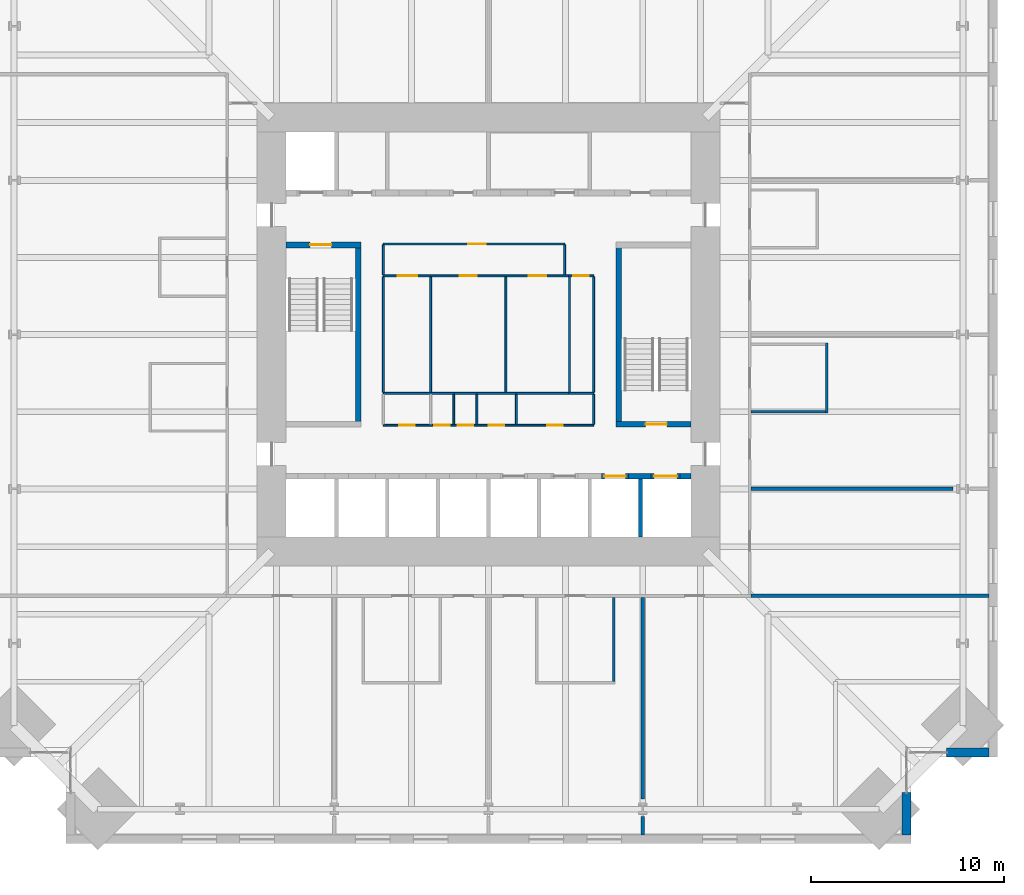
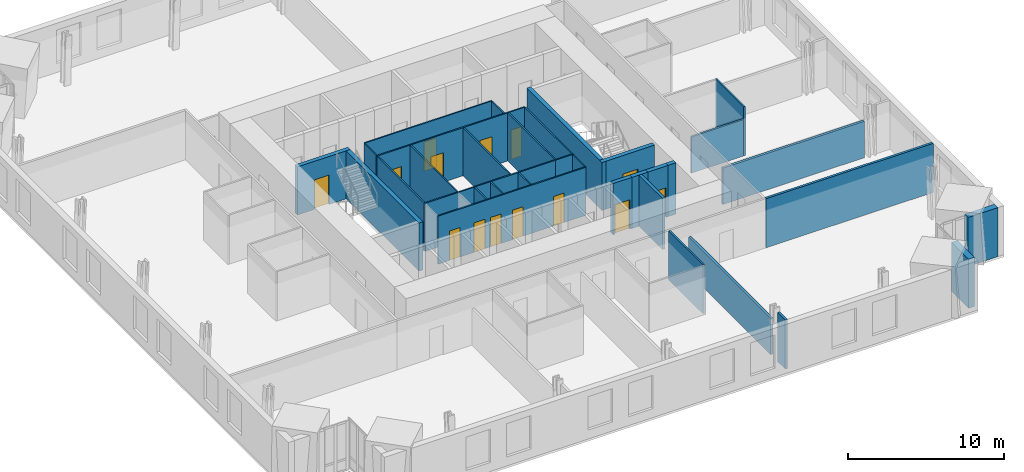
# One storey, part 15 of 18: 35 walls, 14 doors, 14 openings.
"""IFC4 building model written with IfcOpenShell, lengths in metres."""

from ifc_helpers import new_model, si_unit, direction, frame, frame_2d, origin, place, context, subcontext, project, spatial, rectangle, extrude, material, layer, layer_set, type_object, element, fill, save


model = new_model("IFC4")

# Units and contexts
model_context = context("Model", 3, precision=1e-05, world=origin(), true_north=direction((0.0, 1.0)))
body_context = subcontext(model_context, "Body", "Model", "MODEL_VIEW")
ifc_project = project(units=[si_unit("LENGTHUNIT", "METRE"), si_unit("AREAUNIT", "SQUARE_METRE"), si_unit("VOLUMEUNIT", "CUBIC_METRE"), si_unit("PLANEANGLEUNIT", "RADIAN"), si_unit("MASSUNIT", "GRAM", prefix="KILO")], contexts=[model_context])

# Site, building, storey
site_placement = place(None, origin())
site = spatial("IfcSite", under=ifc_project, at=site_placement, CompositionType="ELEMENT")
building_placement = place(site_placement, origin())
building = spatial("IfcBuilding", under=site, at=building_placement, Name="Peilmerk Tower", CompositionType="ELEMENT")
storey_placement = place(building_placement, frame((0.0, 0.0, 155.800048828125)))
storey = spatial("IfcBuildingStorey", under=building, at=storey_placement, Name="L32", CompositionType="ELEMENT", Elevation=155.800048828125)

# Walls
ifc_material_1 = material(Name="Precast concrete C45/55, board-marked finish", Category="concrete")
ifc_layer_1 = layer(ifc_material_1, 0.449951171875)
ifc_layer_set_1 = layer_set([ifc_layer_1], Name="Precast concrete C45/55, board-marked finish")
wall_type_1 = type_object("IfcWallType", Name="EW1 450 precast concrete facade wall, board-marked", PredefinedType="SOLIDWALL", material=ifc_layer_set_1)
for number, where, z_axis, x_axis, name in (
    (1, (21.675048828125, -23.753662109375, 0.0), (0.0, 0.0, 1.0), (0.0, -1.0, 0.0), "Facade wall SEA L32"),
    (2, (23.753662109375, -21.675048828125, 0.0), (0.0, 0.0, 1.0), (1.0, 0.0, 0.0), "Facade wall SEB L32"),
):
    element("IfcWall", number, at=place(storey_placement, frame(where, z_axis=z_axis, x_axis=x_axis)), inside=storey, type_object=wall_type_1, Name=name, PredefinedType="SOLIDWALL", context=body_context, shape_type="SweptSolid", body=[
        extrude(rectangle(XDim=2.1962890625, YDim=0.449951171875, at=frame_2d((1.09814453125, 0.0))), origin(), (0.0, 0.0, 1.0), 3.829833984375),
    ])
ifc_material_2 = material(Name="Concrete C35/45", Category="concrete")
ifc_layer_2 = layer(ifc_material_2, 0.300048828125)
ifc_layer_set_2 = layer_set([ifc_layer_2], Name="Concrete C35/45")
wall_type_2 = type_object("IfcWallType", Name="IW3 300 concrete stair enclosure wall, EI 120", PredefinedType="SOLIDWALL", material=ifc_layer_set_2)
wall_1_placement = place(storey_placement, frame((-6.75, -4.800048828125, 0.0), z_axis=(0.0, 0.0, 1.0), x_axis=(0.0, 1.0, 0.0)))
element("IfcWall", 3, at=wall_1_placement, inside=storey, type_object=wall_type_2, Name="Stair 1 enclosure L32", PredefinedType="SOLIDWALL", context=body_context, shape_type="SweptSolid", body=[
    extrude(rectangle(XDim=9.60009765625, YDim=0.300048828125, at=frame_2d((4.800048828125, 0.0))), origin(), (0.0, 0.0, 1.0), 3.75),
])

# Wall, opening, door
wall_2_placement = place(storey_placement, frame((-10.5, 4.64990234375, 0.0), z_axis=(0.0, 0.0, 1.0), x_axis=(1.0, 0.0, 0.0)))
wall_2 = element("IfcWall", 4, at=wall_2_placement, inside=storey, type_object=wall_type_2, Name="Stair 1 enclosure L32", PredefinedType="SOLIDWALL", context=body_context, shape_type="SweptSolid", body=[
    extrude(rectangle(XDim=3.89990234375, YDim=0.300048828125, at=frame_2d((1.949951171875, 0.0))), origin(), (0.0, 0.0, 1.0), 3.75),
])
opening_1_placement = place(wall_2_placement, frame((1.25, 0.0, 0.0)))
opening_1 = element("IfcOpeningElement", 5, at=opening_1_placement, cuts=wall_2, Name="Opening D4", PredefinedType="OPENING", context=body_context, shape_type="SweptSolid", body=[
    extrude(rectangle(XDim=1.10009765625, YDim=2.300048828125, at=frame_2d((0.550048828125, 1.14990234375))), frame((0.0, 0.159912109375, 0.0), z_axis=(0.0, -1.0, 0.0), x_axis=(1.0, 0.0, 0.0)), (0.0, 0.0, 1.0), 0.320068359375),
])
ifc_material_3 = material(Name="Steel door in steel frame", Category="steel")
door_type_1 = type_object("IfcDoorType", Name="D4 1100x2300 stair door, EI2 60", OperationType="SINGLE_SWING_RIGHT", PredefinedType="DOOR", material=ifc_material_3)
door_1_placement = place(opening_1_placement, frame((1.10009765625, 0.0, 0.0), z_axis=(0.0, 0.0, 1.0), x_axis=(-1.0, 0.0, 0.0)))
door_1 = element("IfcDoor", 6, at=door_1_placement, inside=storey, type_object=door_type_1, Name="Stair 1 door L32", OperationType="SINGLE_SWING_RIGHT", OverallHeight=2.300048828125, OverallWidth=1.10009765625, PredefinedType="DOOR", context=body_context, shape_type="SweptSolid", body=[
    extrude(rectangle(XDim=1.10009765625, YDim=2.300048828125, at=frame_2d((0.550048828125, 1.14990234375))), frame((0.0, 0.02490234375, 0.0), z_axis=(0.0, -1.0, 0.0), x_axis=(1.0, 0.0, 0.0)), (0.0, 0.0, 1.0), 0.050048828125),
])
fill(opening_1, door_1)

# Wall
wall_3_placement = place(storey_placement, frame((6.75, -4.800048828125, 0.0), z_axis=(0.0, 0.0, 1.0), x_axis=(0.0, 1.0, 0.0)))
element("IfcWall", 7, at=wall_3_placement, inside=storey, type_object=wall_type_2, Name="Stair 2 enclosure L32", PredefinedType="SOLIDWALL", context=body_context, shape_type="SweptSolid", body=[
    extrude(rectangle(XDim=9.60009765625, YDim=0.300048828125, at=frame_2d((4.800048828125, 0.0))), origin(), (0.0, 0.0, 1.0), 3.75),
])

# Wall, opening, door
wall_4_placement = place(storey_placement, frame((10.5, -4.64990234375, 0.0), z_axis=(0.0, 0.0, 1.0), x_axis=(-1.0, 0.0, 0.0)))
wall_4 = element("IfcWall", 8, at=wall_4_placement, inside=storey, type_object=wall_type_2, Name="Stair 2 enclosure L32", PredefinedType="SOLIDWALL", context=body_context, shape_type="SweptSolid", body=[
    extrude(rectangle(XDim=3.89990234375, YDim=0.300048828125, at=frame_2d((1.949951171875, 0.0))), origin(), (0.0, 0.0, 1.0), 3.75),
])
opening_2_placement = place(wall_4_placement, frame((1.25, 0.0, 0.0)))
opening_2 = element("IfcOpeningElement", 9, at=opening_2_placement, cuts=wall_4, Name="Opening D4", PredefinedType="OPENING", context=body_context, shape_type="SweptSolid", body=[
    extrude(rectangle(XDim=1.10009765625, YDim=2.300048828125, at=frame_2d((0.550048828125, 1.14990234375))), frame((0.0, 0.159912109375, 0.0), z_axis=(0.0, -1.0, 0.0), x_axis=(1.0, 0.0, 0.0)), (0.0, 0.0, 1.0), 0.320068359375),
])
door_2_placement = place(opening_2_placement, frame((1.10009765625, 0.0, 0.0), z_axis=(0.0, 0.0, 1.0), x_axis=(-1.0, 0.0, 0.0)))
door_2 = element("IfcDoor", 10, at=door_2_placement, inside=storey, type_object=door_type_1, Name="Stair 2 door L32", OperationType="SINGLE_SWING_RIGHT", OverallHeight=2.300048828125, OverallWidth=1.10009765625, PredefinedType="DOOR", context=body_context, shape_type="SweptSolid", body=[
    extrude(rectangle(XDim=1.10009765625, YDim=2.300048828125, at=frame_2d((0.550048828125, 1.14990234375))), frame((0.0, 0.02490234375, 0.0), z_axis=(0.0, -1.0, 0.0), x_axis=(1.0, 0.0, 0.0)), (0.0, 0.0, 1.0), 0.050048828125),
])
fill(opening_2, door_2)

# Wall, openings, doors
ifc_material_4 = material(Name="Plasterboard on steel studs", Category="steel")
ifc_layer_3 = layer(ifc_material_4, 0.10009765625)
ifc_layer_set_3 = layer_set([ifc_layer_3], Name="Plasterboard on steel studs")
wall_type_3 = type_object("IfcWallType", Name="IW4 100 WC partition", PredefinedType="PARTITIONING", material=ifc_layer_set_3)
wall_5_placement = place(storey_placement, frame((-5.449951171875, 3.050048828125, 0.0), z_axis=(0.0, 0.0, 1.0), x_axis=(1.0, 0.0, 0.0)))
wall_5 = element("IfcWall", 11, at=wall_5_placement, inside=storey, type_object=wall_type_3, Name="WC wall L32", PredefinedType="PARTITIONING", context=body_context, shape_type="SweptSolid", body=[
    extrude(rectangle(XDim=9.599853515625, YDim=0.10009765625, at=frame_2d((4.7998046875, 0.0))), origin(), (0.0, 0.0, 1.0), 3.75),
])
opening_3_placement = place(wall_5_placement, frame((0.75, 0.0, 0.0)))
opening_3 = element("IfcOpeningElement", 12, at=opening_3_placement, cuts=wall_5, Name="Opening D6", PredefinedType="OPENING", context=body_context, shape_type="SweptSolid", body=[
    extrude(rectangle(XDim=1.0, YDim=2.300048828125, at=frame_2d((0.5, 1.14990234375))), frame((0.0, 0.06005859375, 0.0), z_axis=(0.0, -1.0, 0.0), x_axis=(1.0, 0.0, 0.0)), (0.0, 0.0, 1.0), 0.1201171875),
])
opening_4_placement = place(wall_5_placement, frame((3.949951171875, 0.0, 0.0)))
opening_4 = element("IfcOpeningElement", 13, at=opening_4_placement, cuts=wall_5, Name="Opening D5", PredefinedType="OPENING", context=body_context, shape_type="SweptSolid", body=[
    extrude(rectangle(XDim=0.89990234375, YDim=2.300048828125, at=frame_2d((0.449951171875, 1.14990234375))), frame((0.0, 0.06005859375, 0.0), z_axis=(0.0, -1.0, 0.0), x_axis=(1.0, 0.0, 0.0)), (0.0, 0.0, 1.0), 0.1201171875),
])
opening_5_placement = place(wall_5_placement, frame((7.550048828125, 0.0, 0.0)))
opening_5 = element("IfcOpeningElement", 14, at=opening_5_placement, cuts=wall_5, Name="Opening D5", PredefinedType="OPENING", context=body_context, shape_type="SweptSolid", body=[
    extrude(rectangle(XDim=0.89990234375, YDim=2.300048828125, at=frame_2d((0.449951171875, 1.14990234375))), frame((0.0, 0.06005859375, 0.0), z_axis=(0.0, -1.0, 0.0), x_axis=(1.0, 0.0, 0.0)), (0.0, 0.0, 1.0), 0.1201171875),
])
ifc_material_5 = material(Name="Timber door in steel frame", Category="steel")
door_type_2 = type_object("IfcDoorType", Name="D5 900x2300 WC door", OperationType="SINGLE_SWING_LEFT", PredefinedType="DOOR", material=ifc_material_5)
door_3_placement = place(opening_4_placement, frame((0.89990234375, 0.0, 0.0), z_axis=(0.0, 0.0, 1.0), x_axis=(-1.0, 0.0, 0.0)))
door_3 = element("IfcDoor", 15, at=door_3_placement, inside=storey, type_object=door_type_2, Name="Female toilets door L32", OperationType="SINGLE_SWING_LEFT", OverallHeight=2.300048828125, OverallWidth=0.89990234375, PredefinedType="DOOR", context=body_context, shape_type="SweptSolid", body=[
    extrude(rectangle(XDim=0.89990234375, YDim=2.300048828125, at=frame_2d((0.449951171875, 1.14990234375))), frame((0.0, 0.02490234375, 0.0), z_axis=(0.0, -1.0, 0.0), x_axis=(1.0, 0.0, 0.0)), (0.0, 0.0, 1.0), 0.050048828125),
])
fill(opening_4, door_3)
door_4_placement = place(opening_5_placement, frame((0.89990234375, 0.0, 0.0), z_axis=(0.0, 0.0, 1.0), x_axis=(-1.0, 0.0, 0.0)))
door_4 = element("IfcDoor", 16, at=door_4_placement, inside=storey, type_object=door_type_2, Name="Male toilets door L32", OperationType="SINGLE_SWING_LEFT", OverallHeight=2.300048828125, OverallWidth=0.89990234375, PredefinedType="DOOR", context=body_context, shape_type="SweptSolid", body=[
    extrude(rectangle(XDim=0.89990234375, YDim=2.300048828125, at=frame_2d((0.449951171875, 1.14990234375))), frame((0.0, 0.02490234375, 0.0), z_axis=(0.0, -1.0, 0.0), x_axis=(1.0, 0.0, 0.0)), (0.0, 0.0, 1.0), 0.050048828125),
])
fill(opening_5, door_4)
door_type_3 = type_object("IfcDoorType", Name="D6 1000x2300 accessible WC door", OperationType="SLIDING_TO_LEFT", PredefinedType="DOOR", material=ifc_material_5)
door_5_placement = place(opening_3_placement, frame((1.0, 0.0, 0.0), z_axis=(0.0, 0.0, 1.0), x_axis=(-1.0, 0.0, 0.0)))
door_5 = element("IfcDoor", 17, at=door_5_placement, inside=storey, type_object=door_type_3, Name="Accessible WC door L32", OperationType="SLIDING_TO_LEFT", OverallHeight=2.300048828125, OverallWidth=1.0, PredefinedType="DOOR", context=body_context, shape_type="SweptSolid", body=[
    extrude(rectangle(XDim=1.0, YDim=2.300048828125, at=frame_2d((0.5, 1.14990234375))), frame((0.0, 0.02490234375, 0.0), z_axis=(0.0, -1.0, 0.0), x_axis=(1.0, 0.0, 0.0)), (0.0, 0.0, 1.0), 0.050048828125),
])
fill(opening_3, door_5)

# Walls
wall_6_placement = place(storey_placement, frame((4.14990234375, -3.050048828125, 0.0), z_axis=(0.0, 0.0, 1.0), x_axis=(-1.0, 0.0, 0.0)))
element("IfcWall", 18, at=wall_6_placement, inside=storey, type_object=wall_type_3, Name="WC wall L32", PredefinedType="PARTITIONING", context=body_context, shape_type="SweptSolid", body=[
    extrude(rectangle(XDim=9.599853515625, YDim=0.10009765625, at=frame_2d((4.7998046875, 0.0))), origin(), (0.0, 0.0, 1.0), 3.75),
])
for number, where, z_axis, x_axis, name in (
    (19, (-5.449951171875, -3.0, 0.0), (0.0, 0.0, 1.0), (0.0, 1.0, 0.0), "WC wall L32"),
    (20, (-3.0, -3.0, 0.0), (0.0, 0.0, 1.0), (0.0, 1.0, 0.0), "WC wall L32"),
    (21, (0.89990234375, -3.0, 0.0), (0.0, 0.0, 1.0), (0.0, 1.0, 0.0), "WC wall L32"),
):
    element("IfcWall", number, at=place(storey_placement, frame(where, z_axis=z_axis, x_axis=x_axis)), inside=storey, type_object=wall_type_3, Name=name, PredefinedType="PARTITIONING", context=body_context, shape_type="SweptSolid", body=[
        extrude(rectangle(XDim=6.0, YDim=0.10009765625, at=frame_2d((3.0, 0.0))), origin(), (0.0, 0.0, 1.0), 3.75),
    ])

# Wall, opening, door
ifc_material_6 = material(Name="Calcium silicate board on steel studs", Category="steel")
ifc_layer_4 = layer(ifc_material_6, 0.10009765625)
ifc_layer_set_4 = layer_set([ifc_layer_4], Name="Calcium silicate board on steel studs")
wall_type_4 = type_object("IfcWallType", Name="IW5 100 riser enclosure wall, EI 60", PredefinedType="PARTITIONING", material=ifc_layer_set_4)
wall_7_placement = place(storey_placement, frame((4.14990234375, 3.050048828125, 0.0), z_axis=(0.0, 0.0, 1.0), x_axis=(1.0, 0.0, 0.0)))
wall_7 = element("IfcWall", 22, at=wall_7_placement, inside=storey, type_object=wall_type_4, Name="Riser wall L32", PredefinedType="PARTITIONING", context=body_context, shape_type="SweptSolid", body=[
    extrude(rectangle(XDim=1.300048828125, YDim=0.10009765625, at=frame_2d((0.64990234375, 0.0))), origin(), (0.0, 0.0, 1.0), 3.75),
])
opening_6_placement = place(wall_7_placement, frame((0.25, 0.0, 0.0)))
opening_6 = element("IfcOpeningElement", 23, at=opening_6_placement, cuts=wall_7, Name="Opening D7", PredefinedType="OPENING", context=body_context, shape_type="SweptSolid", body=[
    extrude(rectangle(XDim=0.800048828125, YDim=2.300048828125, at=frame_2d((0.39990234375, 1.14990234375))), frame((0.0, 0.06005859375, 0.0), z_axis=(0.0, -1.0, 0.0), x_axis=(1.0, 0.0, 0.0)), (0.0, 0.0, 1.0), 0.1201171875),
])
door_type_4 = type_object("IfcDoorType", Name="D7 800x2300 riser access door, EI2 60", OperationType="SINGLE_SWING_RIGHT", PredefinedType="DOOR", material=ifc_material_3)
door_6_placement = place(opening_6_placement, frame((0.800048828125, 0.0, 0.0), z_axis=(0.0, 0.0, 1.0), x_axis=(-1.0, 0.0, 0.0)))
door_6 = element("IfcDoor", 24, at=door_6_placement, inside=storey, type_object=door_type_4, Name="Plumbing riser door L32", OperationType="SINGLE_SWING_RIGHT", OverallHeight=2.300048828125, OverallWidth=0.800048828125, PredefinedType="DOOR", context=body_context, shape_type="SweptSolid", body=[
    extrude(rectangle(XDim=0.800048828125, YDim=2.300048828125, at=frame_2d((0.39990234375, 1.14990234375))), frame((0.0, 0.02490234375, 0.0), z_axis=(0.0, -1.0, 0.0), x_axis=(1.0, 0.0, 0.0)), (0.0, 0.0, 1.0), 0.050048828125),
])
fill(opening_6, door_6)

# Walls
wall_8_placement = place(storey_placement, frame((5.449951171875, -3.050048828125, 0.0), z_axis=(0.0, 0.0, 1.0), x_axis=(-1.0, 0.0, 0.0)))
element("IfcWall", 25, at=wall_8_placement, inside=storey, type_object=wall_type_4, Name="Riser wall L32", PredefinedType="PARTITIONING", context=body_context, shape_type="SweptSolid", body=[
    extrude(rectangle(XDim=1.300048828125, YDim=0.10009765625, at=frame_2d((0.64990234375, 0.0))), origin(), (0.0, 0.0, 1.0), 3.75),
])
for number, where, z_axis, x_axis, name in (
    (26, (5.449951171875, 3.0, 0.0), (0.0, 0.0, 1.0), (0.0, -1.0, 0.0), "Riser wall L32"),
    (27, (4.199951171875, -3.0, 0.0), (0.0, 0.0, 1.0), (0.0, 1.0, 0.0), "Riser wall L32"),
):
    element("IfcWall", number, at=place(storey_placement, frame(where, z_axis=z_axis, x_axis=x_axis)), inside=storey, type_object=wall_type_4, Name=name, PredefinedType="PARTITIONING", context=body_context, shape_type="SweptSolid", body=[
        extrude(rectangle(XDim=6.0, YDim=0.10009765625, at=frame_2d((3.0, 0.0))), origin(), (0.0, 0.0, 1.0), 3.75),
    ])

# Wall, openings, doors
wall_9_placement = place(storey_placement, frame((5.449951171875, -4.699951171875, 0.0), z_axis=(0.0, 0.0, 1.0), x_axis=(-1.0, 0.0, 0.0)))
wall_9 = element("IfcWall", 28, at=wall_9_placement, inside=storey, type_object=wall_type_4, Name="Riser wall L32", PredefinedType="PARTITIONING", context=body_context, shape_type="SweptSolid", body=[
    extrude(rectangle(XDim=10.89990234375, YDim=0.10009765625, at=frame_2d((5.449951171875, 0.0))), origin(), (0.0, 0.0, 1.0), 3.75),
])
opening_7_placement = place(wall_9_placement, frame((9.27490234375, 0.0, 0.0)))
opening_7 = element("IfcOpeningElement", 29, at=opening_7_placement, cuts=wall_9, Name="Opening D7", PredefinedType="OPENING", context=body_context, shape_type="SweptSolid", body=[
    extrude(rectangle(XDim=0.800048828125, YDim=2.300048828125, at=frame_2d((0.39990234375, 1.14990234375))), frame((0.0, 0.06005859375, 0.0), z_axis=(0.0, -1.0, 0.0), x_axis=(1.0, 0.0, 0.0)), (0.0, 0.0, 1.0), 0.1201171875),
])
opening_8_placement = place(wall_9_placement, frame((7.449951171875, 0.0, 0.0)))
opening_8 = element("IfcOpeningElement", 30, at=opening_8_placement, cuts=wall_9, Name="Opening D7", PredefinedType="OPENING", context=body_context, shape_type="SweptSolid", body=[
    extrude(rectangle(XDim=0.800048828125, YDim=2.300048828125, at=frame_2d((0.39990234375, 1.14990234375))), frame((0.0, 0.06005859375, 0.0), z_axis=(0.0, -1.0, 0.0), x_axis=(1.0, 0.0, 0.0)), (0.0, 0.0, 1.0), 0.1201171875),
])
opening_9_placement = place(wall_9_placement, frame((6.25, 0.0, 0.0)))
opening_9 = element("IfcOpeningElement", 31, at=opening_9_placement, cuts=wall_9, Name="Opening D7", PredefinedType="OPENING", context=body_context, shape_type="SweptSolid", body=[
    extrude(rectangle(XDim=0.800048828125, YDim=2.300048828125, at=frame_2d((0.39990234375, 1.14990234375))), frame((0.0, 0.06005859375, 0.0), z_axis=(0.0, -1.0, 0.0), x_axis=(1.0, 0.0, 0.0)), (0.0, 0.0, 1.0), 0.1201171875),
])
opening_10_placement = place(wall_9_placement, frame((4.625, 0.0, 0.0)))
opening_10 = element("IfcOpeningElement", 32, at=opening_10_placement, cuts=wall_9, Name="Opening D7", PredefinedType="OPENING", context=body_context, shape_type="SweptSolid", body=[
    extrude(rectangle(XDim=0.800048828125, YDim=2.300048828125, at=frame_2d((0.39990234375, 1.14990234375))), frame((0.0, 0.06005859375, 0.0), z_axis=(0.0, -1.0, 0.0), x_axis=(1.0, 0.0, 0.0)), (0.0, 0.0, 1.0), 0.1201171875),
])
opening_11_placement = place(wall_9_placement, frame((1.60009765625, 0.0, 0.0)))
opening_11 = element("IfcOpeningElement", 33, at=opening_11_placement, cuts=wall_9, Name="Opening D7", PredefinedType="OPENING", context=body_context, shape_type="SweptSolid", body=[
    extrude(rectangle(XDim=0.800048828125, YDim=2.300048828125, at=frame_2d((0.39990234375, 1.14990234375))), frame((0.0, 0.06005859375, 0.0), z_axis=(0.0, -1.0, 0.0), x_axis=(1.0, 0.0, 0.0)), (0.0, 0.0, 1.0), 0.1201171875),
])
door_7_placement = place(opening_7_placement, frame((0.800048828125, 0.0, 0.0), z_axis=(0.0, 0.0, 1.0), x_axis=(-1.0, 0.0, 0.0)))
door_7 = element("IfcDoor", 34, at=door_7_placement, inside=storey, type_object=door_type_4, Name="Cleaner's cupboard door L32", OperationType="SINGLE_SWING_RIGHT", OverallHeight=2.300048828125, OverallWidth=0.800048828125, PredefinedType="DOOR", context=body_context, shape_type="SweptSolid", body=[
    extrude(rectangle(XDim=0.800048828125, YDim=2.300048828125, at=frame_2d((0.39990234375, 1.14990234375))), frame((0.0, 0.02490234375, 0.0), z_axis=(0.0, -1.0, 0.0), x_axis=(1.0, 0.0, 0.0)), (0.0, 0.0, 1.0), 0.050048828125),
])
fill(opening_7, door_7)
door_8_placement = place(opening_8_placement, frame((0.800048828125, 0.0, 0.0), z_axis=(0.0, 0.0, 1.0), x_axis=(-1.0, 0.0, 0.0)))
door_8 = element("IfcDoor", 35, at=door_8_placement, inside=storey, type_object=door_type_4, Name="Electrical riser door L32", OperationType="SINGLE_SWING_RIGHT", OverallHeight=2.300048828125, OverallWidth=0.800048828125, PredefinedType="DOOR", context=body_context, shape_type="SweptSolid", body=[
    extrude(rectangle(XDim=0.800048828125, YDim=2.300048828125, at=frame_2d((0.39990234375, 1.14990234375))), frame((0.0, 0.02490234375, 0.0), z_axis=(0.0, -1.0, 0.0), x_axis=(1.0, 0.0, 0.0)), (0.0, 0.0, 1.0), 0.050048828125),
])
fill(opening_8, door_8)
door_9_placement = place(opening_9_placement, frame((0.800048828125, 0.0, 0.0), z_axis=(0.0, 0.0, 1.0), x_axis=(-1.0, 0.0, 0.0)))
door_9 = element("IfcDoor", 36, at=door_9_placement, inside=storey, type_object=door_type_4, Name="Data riser door L32", OperationType="SINGLE_SWING_RIGHT", OverallHeight=2.300048828125, OverallWidth=0.800048828125, PredefinedType="DOOR", context=body_context, shape_type="SweptSolid", body=[
    extrude(rectangle(XDim=0.800048828125, YDim=2.300048828125, at=frame_2d((0.39990234375, 1.14990234375))), frame((0.0, 0.02490234375, 0.0), z_axis=(0.0, -1.0, 0.0), x_axis=(1.0, 0.0, 0.0)), (0.0, 0.0, 1.0), 0.050048828125),
])
fill(opening_9, door_9)
door_10_placement = place(opening_10_placement, frame((0.800048828125, 0.0, 0.0), z_axis=(0.0, 0.0, 1.0), x_axis=(-1.0, 0.0, 0.0)))
door_10 = element("IfcDoor", 37, at=door_10_placement, inside=storey, type_object=door_type_4, Name="Electrical room door L32", OperationType="SINGLE_SWING_RIGHT", OverallHeight=2.300048828125, OverallWidth=0.800048828125, PredefinedType="DOOR", context=body_context, shape_type="SweptSolid", body=[
    extrude(rectangle(XDim=0.800048828125, YDim=2.300048828125, at=frame_2d((0.39990234375, 1.14990234375))), frame((0.0, 0.02490234375, 0.0), z_axis=(0.0, -1.0, 0.0), x_axis=(1.0, 0.0, 0.0)), (0.0, 0.0, 1.0), 0.050048828125),
])
fill(opening_10, door_10)
door_11_placement = place(opening_11_placement, frame((0.800048828125, 0.0, 0.0), z_axis=(0.0, 0.0, 1.0), x_axis=(-1.0, 0.0, 0.0)))
door_11 = element("IfcDoor", 38, at=door_11_placement, inside=storey, type_object=door_type_4, Name="Comms room door L32", OperationType="SINGLE_SWING_RIGHT", OverallHeight=2.300048828125, OverallWidth=0.800048828125, PredefinedType="DOOR", context=body_context, shape_type="SweptSolid", body=[
    extrude(rectangle(XDim=0.800048828125, YDim=2.300048828125, at=frame_2d((0.39990234375, 1.14990234375))), frame((0.0, 0.02490234375, 0.0), z_axis=(0.0, -1.0, 0.0), x_axis=(1.0, 0.0, 0.0)), (0.0, 0.0, 1.0), 0.050048828125),
])
fill(opening_11, door_11)

# Walls
for number, where, z_axis, x_axis, name in (
    (39, (5.449951171875, -3.10009765625, 0.0), (0.0, 0.0, 1.0), (0.0, -1.0, 0.0), "Riser wall L32"),
    (40, (-1.800048828125, -3.10009765625, 0.0), (0.0, 0.0, 1.0), (0.0, -1.0, 0.0), "Riser wall L32"),
    (41, (-0.60009765625, -3.10009765625, 0.0), (0.0, 0.0, 1.0), (0.0, -1.0, 0.0), "Riser wall L32"),
    (42, (1.449951171875, -3.10009765625, 0.0), (0.0, 0.0, 1.0), (0.0, -1.0, 0.0), "Riser wall L32"),
):
    element("IfcWall", number, at=place(storey_placement, frame(where, z_axis=z_axis, x_axis=x_axis)), inside=storey, type_object=wall_type_4, Name=name, PredefinedType="PARTITIONING", context=body_context, shape_type="SweptSolid", body=[
        extrude(rectangle(XDim=1.5498046875, YDim=0.10009765625, at=frame_2d((0.77490234375, 0.0))), origin(), (0.0, 0.0, 1.0), 3.75),
    ])
ifc_material_7 = material(Name="Plasterboard on steel studs, double boarded with mineral wool", Category="steel")
ifc_layer_5 = layer(ifc_material_7, 0.125)
ifc_layer_set_5 = layer_set([ifc_layer_5], Name="Plasterboard on steel studs, double boarded with mineral wool")
wall_type_5 = type_object("IfcWallType", Name="IW7 125 acoustic partition, EI 30", PredefinedType="PARTITIONING", material=ifc_layer_set_5)
wall_10_placement = place(storey_placement, frame((6.5, -13.625, 0.0), z_axis=(0.0, 0.0, 1.0), x_axis=(0.0, -1.0, 0.0)))
element("IfcWall", 43, at=wall_10_placement, inside=storey, type_object=wall_type_5, Name="Acoustic partition Meeting room L32", PredefinedType="PARTITIONING", context=body_context, shape_type="SweptSolid", body=[
    extrude(rectangle(XDim=4.362548828125, YDim=0.125, at=frame_2d((2.18115234375, 0.0))), origin(), (0.0, 0.0, 1.0), 3.829833984375),
])
wall_11_placement = place(storey_placement, frame((17.550048828125, -4.0625, 0.0), z_axis=(0.0, 0.0, 1.0), x_axis=(0.0, 1.0, 0.0)))
element("IfcWall", 44, at=wall_11_placement, inside=storey, type_object=wall_type_5, Name="Acoustic partition Meeting room L32", PredefinedType="PARTITIONING", context=body_context, shape_type="SweptSolid", body=[
    extrude(rectangle(XDim=3.625, YDim=0.125, at=frame_2d((1.8125, 0.0))), origin(), (0.0, 0.0, 1.0), 3.829833984375),
])
wall_12_placement = place(storey_placement, frame((13.625, -4.0, 0.0), z_axis=(0.0, 0.0, 1.0), x_axis=(1.0, 0.0, 0.0)))
element("IfcWall", 45, at=wall_12_placement, inside=storey, type_object=wall_type_5, Name="Acoustic partition Meeting room L32", PredefinedType="PARTITIONING", context=body_context, shape_type="SweptSolid", body=[
    extrude(rectangle(XDim=3.862548828125, YDim=0.125, at=frame_2d((1.93115234375, 0.0))), origin(), (0.0, 0.0, 1.0), 2.83984375),
])
ifc_material_8 = material(Name="Calcium silicate block", Category="masonry")
ifc_layer_6 = layer(ifc_material_8, 0.175048828125)
ifc_layer_set_6 = layer_set([ifc_layer_6], Name="Calcium silicate block")
wall_type_6 = type_object("IfcWallType", Name="IW8 175 tenant separating wall, EI 60", PredefinedType="PARTITIONING", material=ifc_layer_set_6)
wall_13_placement = place(storey_placement, frame((25.949951171875, -13.550048828125, 0.0), z_axis=(0.0, 0.0, 1.0), x_axis=(-1.0, 0.0, 0.0)))
element("IfcWall", 46, at=wall_13_placement, inside=storey, type_object=wall_type_6, Name="Tenant separating wall SE L32", PredefinedType="PARTITIONING", context=body_context, shape_type="SweptSolid", body=[
    extrude(rectangle(XDim=12.324951171875, YDim=0.175048828125, at=frame_2d((6.16259765625, 0.0))), origin(), (0.0, 0.0, 1.0), 3.829833984375),
])
wall_14_placement = place(storey_placement, frame((8.0, -13.625, 0.0), z_axis=(0.0, 0.0, 1.0), x_axis=(0.0, -1.0, 0.0)))
element("IfcWall", 47, at=wall_14_placement, inside=storey, type_object=wall_type_6, Name="Tenant separating wall S3 L32", PredefinedType="PARTITIONING", context=body_context, shape_type="SweptSolid", body=[
    extrude(rectangle(XDim=10.46435546875, YDim=0.175048828125, at=frame_2d((5.232177734375, 0.0))), origin(), (0.0, 0.0, 1.0), 2.83984375),
])
wall_15_placement = place(storey_placement, frame((8.0, -24.978515625, 0.0), z_axis=(0.0, 0.0, 1.0), x_axis=(0.0, -1.0, 0.0)))
element("IfcWall", 48, at=wall_15_placement, inside=storey, type_object=wall_type_6, Name="Tenant separating wall S3b L32", PredefinedType="PARTITIONING", context=body_context, shape_type="SweptSolid", body=[
    extrude(rectangle(XDim=0.971435546875, YDim=0.175048828125, at=frame_2d((0.48583984375, 0.0))), origin(), (0.0, 0.0, 1.0), 3.829833984375),
])
wall_16_placement = place(storey_placement, frame((13.625, -8.0, 0.0), z_axis=(0.0, 0.0, 1.0), x_axis=(1.0, 0.0, 0.0)))
element("IfcWall", 49, at=wall_16_placement, inside=storey, type_object=wall_type_6, Name="Tenant separating wall E1 L32", PredefinedType="PARTITIONING", context=body_context, shape_type="SweptSolid", body=[
    extrude(rectangle(XDim=10.46435546875, YDim=0.175048828125, at=frame_2d((5.232177734375, 0.0))), origin(), (0.0, 0.0, 1.0), 2.83984375),
])

# Wall, opening, door
ifc_material_9 = material(Name="Fire-resisting plasterboard on steel studs", Category="steel")
ifc_layer_7 = layer(ifc_material_9, 0.10009765625)
ifc_layer_set_7 = layer_set([ifc_layer_7], Name="Fire-resisting plasterboard on steel studs")
wall_type_7 = type_object("IfcWallType", Name="IW9 100 WC lobby wall, EI 30", PredefinedType="PARTITIONING", material=ifc_layer_set_7)
wall_17_placement = place(storey_placement, frame((-5.449951171875, 4.699951171875, 0.0), z_axis=(0.0, 0.0, 1.0), x_axis=(1.0, 0.0, 0.0)))
wall_17 = element("IfcWall", 50, at=wall_17_placement, inside=storey, type_object=wall_type_7, Name="WC lobby wall L32", PredefinedType="PARTITIONING", context=body_context, shape_type="SweptSolid", body=[
    extrude(rectangle(XDim=9.39990234375, YDim=0.10009765625, at=frame_2d((4.699951171875, 0.0))), origin(), (0.0, 0.0, 1.0), 3.75),
])
opening_12_placement = place(wall_17_placement, frame((4.39990234375, 0.0, 0.0)))
opening_12 = element("IfcOpeningElement", 51, at=opening_12_placement, cuts=wall_17, Name="Opening D11", PredefinedType="OPENING", context=body_context, shape_type="SweptSolid", body=[
    extrude(rectangle(XDim=0.89990234375, YDim=2.300048828125, at=frame_2d((0.449951171875, 1.14990234375))), frame((0.0, 0.06005859375, 0.0), z_axis=(0.0, -1.0, 0.0), x_axis=(1.0, 0.0, 0.0)), (0.0, 0.0, 1.0), 0.1201171875),
])
door_type_5 = type_object("IfcDoorType", Name="D11 900x2300 WC lobby door, EI2 30", OperationType="SINGLE_SWING_LEFT", PredefinedType="DOOR", material=ifc_material_5)
door_12_placement = place(opening_12_placement, frame((0.89990234375, 0.0, 0.0), z_axis=(0.0, 0.0, 1.0), x_axis=(-1.0, 0.0, 0.0)))
door_12 = element("IfcDoor", 52, at=door_12_placement, inside=storey, type_object=door_type_5, Name="WC lobby door L32", OperationType="SINGLE_SWING_LEFT", OverallHeight=2.300048828125, OverallWidth=0.89990234375, PredefinedType="DOOR", context=body_context, shape_type="SweptSolid", body=[
    extrude(rectangle(XDim=0.89990234375, YDim=2.300048828125, at=frame_2d((0.449951171875, 1.14990234375))), frame((0.0, 0.02490234375, 0.0), z_axis=(0.0, -1.0, 0.0), x_axis=(1.0, 0.0, 0.0)), (0.0, 0.0, 1.0), 0.050048828125),
])
fill(opening_12, door_12)

# Walls
for number, where, z_axis, x_axis, name in (
    (53, (-5.449951171875, 3.10009765625, 0.0), (0.0, 0.0, 1.0), (0.0, 1.0, 0.0), "WC lobby wall L32"),
    (54, (3.949951171875, 3.10009765625, 0.0), (0.0, 0.0, 1.0), (0.0, 1.0, 0.0), "WC lobby wall L32"),
):
    element("IfcWall", number, at=place(storey_placement, frame(where, z_axis=z_axis, x_axis=x_axis)), inside=storey, type_object=wall_type_7, Name=name, PredefinedType="PARTITIONING", context=body_context, shape_type="SweptSolid", body=[
        extrude(rectangle(XDim=1.5498046875, YDim=0.10009765625, at=frame_2d((0.77490234375, 0.0))), origin(), (0.0, 0.0, 1.0), 3.75),
    ])
ifc_layer_8 = layer(ifc_material_8, 0.199951171875)
ifc_layer_set_8 = layer_set([ifc_layer_8], Name="Calcium silicate block")
wall_type_8 = type_object("IfcWallType", Name="SH1 200 shaft dividing wall, EI 120", PredefinedType="PARTITIONING", material=ifc_layer_set_8)
wall_18_placement = place(storey_placement, frame((7.875, -10.5, 0.0), z_axis=(0.0, 0.0, 1.0), x_axis=(0.0, 1.0, 0.0)))
element("IfcWall", 55, at=wall_18_placement, inside=storey, type_object=wall_type_8, Name="Shaft wall S B1 L32", PredefinedType="PARTITIONING", context=body_context, shape_type="SweptSolid", body=[
    extrude(rectangle(XDim=3.0, YDim=0.199951171875, at=frame_2d((1.5, 0.0))), origin(), (0.0, 0.0, 1.0), 4.0),
])

# Wall, opening, door
ifc_layer_9 = layer(ifc_material_8, 0.300048828125)
ifc_layer_set_9 = layer_set([ifc_layer_9], Name="Calcium silicate block")
wall_type_9 = type_object("IfcWallType", Name="SH2 300 lift landing door panel, EI 120", PredefinedType="PARTITIONING", material=ifc_layer_set_9)
wall_19_placement = place(storey_placement, frame((5.862548828125, -7.35009765625, 0.0), z_axis=(0.0, 0.0, 1.0), x_axis=(1.0, 0.0, 0.0)))
wall_19 = element("IfcWall", 56, at=wall_19_placement, inside=storey, type_object=wall_type_9, Name="Lift door panel S B1 L32", PredefinedType="PARTITIONING", context=body_context, shape_type="SweptSolid", body=[
    extrude(rectangle(XDim=1.39990234375, YDim=0.300048828125, at=frame_2d((0.699951171875, 0.0))), origin(), (0.0, 0.0, 1.0), 4.0),
])
opening_13_placement = place(wall_19_placement, frame((0.14990234375, 0.0, 0.0)))
opening_13 = element("IfcOpeningElement", 57, at=opening_13_placement, cuts=wall_19, Name="Opening LD1", PredefinedType="OPENING", context=body_context, shape_type="SweptSolid", body=[
    extrude(rectangle(XDim=1.10009765625, YDim=2.300048828125, at=frame_2d((0.550048828125, 1.14990234375))), frame((0.0, 0.159912109375, 0.0), z_axis=(0.0, -1.0, 0.0), x_axis=(1.0, 0.0, 0.0)), (0.0, 0.0, 1.0), 0.320068359375),
])
ifc_material_10 = material(Name="Stainless steel landing door", Category="steel")
door_type_6 = type_object("IfcDoorType", Name="LD1 1100x2300 lift landing door, sliding, EI2 60", OperationType="SLIDING_TO_LEFT", PredefinedType="DOOR", material=ifc_material_10)
door_13_placement = place(opening_13_placement, origin())
door_13 = element("IfcDoor", 58, at=door_13_placement, inside=storey, type_object=door_type_6, Name="Lift landing door B1 L32", OperationType="SLIDING_TO_LEFT", OverallHeight=2.300048828125, OverallWidth=1.10009765625, PredefinedType="DOOR", context=body_context, shape_type="SweptSolid", body=[
    extrude(rectangle(XDim=1.10009765625, YDim=2.300048828125, at=frame_2d((0.550048828125, 1.14990234375))), frame((0.0, 0.02490234375, 0.0), z_axis=(0.0, -1.0, 0.0), x_axis=(1.0, 0.0, 0.0)), (0.0, 0.0, 1.0), 0.050048828125),
])
fill(opening_13, door_13)

wall_20_placement = place(storey_placement, frame((8.4375, -7.35009765625, 0.0), z_axis=(0.0, 0.0, 1.0), x_axis=(1.0, 0.0, 0.0)))
wall_20 = element("IfcWall", 59, at=wall_20_placement, inside=storey, type_object=wall_type_9, Name="Lift door panel S FL2 L32", PredefinedType="PARTITIONING", context=body_context, shape_type="SweptSolid", body=[
    extrude(rectangle(XDim=1.5, YDim=0.300048828125, at=frame_2d((0.75, 0.0))), origin(), (0.0, 0.0, 1.0), 4.0),
])
opening_14_placement = place(wall_20_placement, frame((0.14990234375, 0.0, 0.0)))
opening_14 = element("IfcOpeningElement", 60, at=opening_14_placement, cuts=wall_20, Name="Opening LD2", PredefinedType="OPENING", context=body_context, shape_type="SweptSolid", body=[
    extrude(rectangle(XDim=1.199951171875, YDim=2.300048828125, at=frame_2d((0.60009765625, 1.14990234375))), frame((0.0, 0.159912109375, 0.0), z_axis=(0.0, -1.0, 0.0), x_axis=(1.0, 0.0, 0.0)), (0.0, 0.0, 1.0), 0.320068359375),
])
door_type_7 = type_object("IfcDoorType", Name="LD2 1200x2300 lift landing door, sliding, EI2 60", OperationType="SLIDING_TO_LEFT", PredefinedType="DOOR", material=ifc_material_10)
door_14_placement = place(opening_14_placement, origin())
door_14 = element("IfcDoor", 61, at=door_14_placement, inside=storey, type_object=door_type_7, Name="Lift landing door FL2 L32", OperationType="SLIDING_TO_LEFT", OverallHeight=2.300048828125, OverallWidth=1.199951171875, PredefinedType="DOOR", context=body_context, shape_type="SweptSolid", body=[
    extrude(rectangle(XDim=1.199951171875, YDim=2.300048828125, at=frame_2d((0.60009765625, 1.14990234375))), frame((0.0, 0.02490234375, 0.0), z_axis=(0.0, -1.0, 0.0), x_axis=(1.0, 0.0, 0.0)), (0.0, 0.0, 1.0), 0.050048828125),
])
fill(opening_14, door_14)

# Walls
ifc_material_11 = material(Name="Concrete C55/67", Category="concrete")
ifc_layer_10 = layer(ifc_material_11, 0.300048828125)
ifc_layer_set_10 = layer_set([ifc_layer_10], Name="Concrete C55/67")
wall_type_10 = type_object("IfcWallType", Name="SW2 300 lift bank pier", PredefinedType="SHEAR", material=ifc_layer_set_10)
wall_21_placement = place(storey_placement, frame((7.262451171875, -7.35009765625, 0.0), z_axis=(0.0, 0.0, 1.0), x_axis=(1.0, 0.0, 0.0)))
element("IfcWall", 62, at=wall_21_placement, inside=storey, type_object=wall_type_10, Name="Lift bank pier S L32", PredefinedType="SHEAR", context=body_context, shape_type="SweptSolid", body=[
    extrude(rectangle(XDim=1.175048828125, YDim=0.300048828125, at=frame_2d((0.58740234375, 0.0))), origin(), (0.0, 0.0, 1.0), 4.0),
])
wall_22_placement = place(storey_placement, frame((9.9375, -7.35009765625, 0.0), z_axis=(0.0, 0.0, 1.0), x_axis=(1.0, 0.0, 0.0)))
element("IfcWall", 63, at=wall_22_placement, inside=storey, type_object=wall_type_10, Name="Lift bank pier S L32", PredefinedType="SHEAR", context=body_context, shape_type="SweptSolid", body=[
    extrude(rectangle(XDim=0.5625, YDim=0.300048828125, at=frame_2d((0.28125, 0.0))), origin(), (0.0, 0.0, 1.0), 4.0),
])

save(model, "model.ifc")
